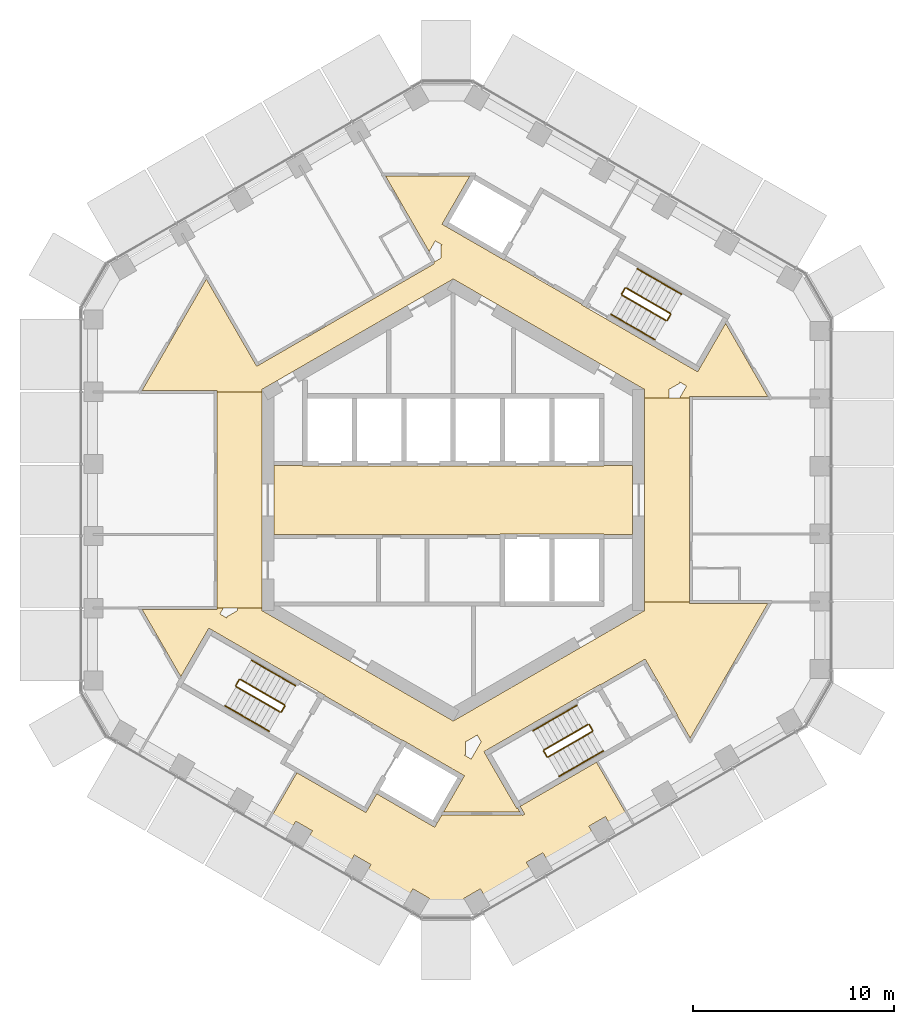
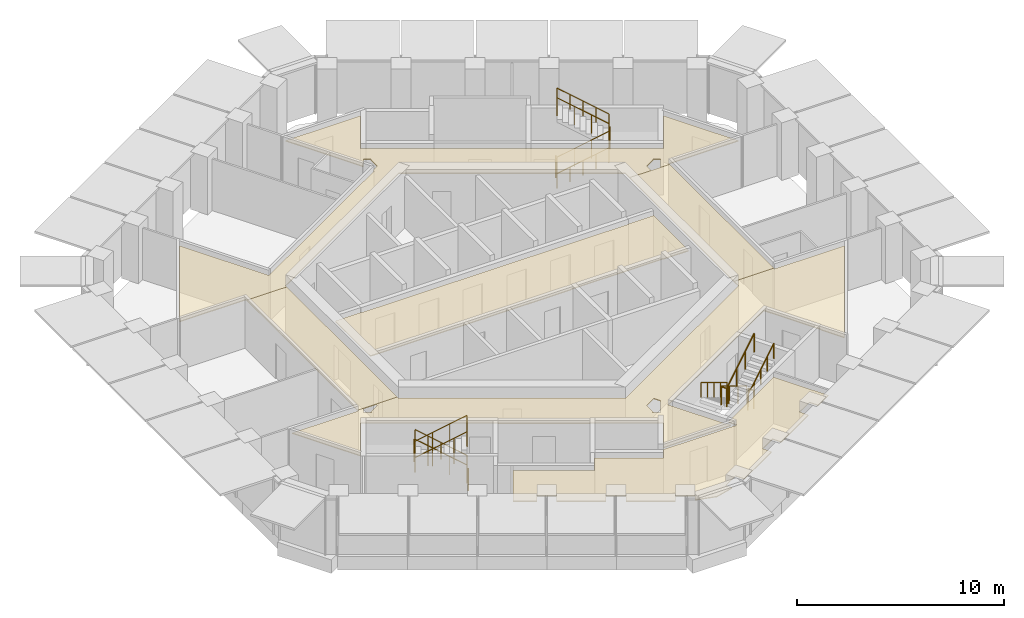
# One storey, part 18 of 18: 24 railings, 6 coverings.
"""IFC4 building model written with IfcOpenShell, lengths in metres."""

import ifcopenshell
import ifcopenshell.guid

model = None  # the IFC model being written
_history = None  # IfcOwnerHistory: only IFC2X3 demands one
_inside = {}  # id of a spatial element -> (the spatial element, [elements in it])
_under = {}  # id of a project, library or spatial element -> (it, [spatial elements below it])
_declared = {}  # id of a project -> (the project, [libraries it declares])
_typed = {}  # id of a type object -> (the type object, [elements of that type])
_made_of = {}  # id of a material, layer set ... -> (it, [elements and type objects made of it])


def new_model(schema):
    """Start an empty IFC model of exactly this schema.

    Asked for "IFC4X3", IfcOpenShell would pick the latest addendum, in which some entities
    have other attributes; the version numbers below select the first issue.
    IFC2X3 requires an IfcOwnerHistory on every rooted entity: one is made here for all.
    """
    global model, _history
    if schema == "IFC4X3":
        model = ifcopenshell.file(schema_version=(4, 3, 0, 0))
    else:
        model = ifcopenshell.file(schema=schema)
    _inside.clear()
    _under.clear()
    _declared.clear()
    _typed.clear()
    _made_of.clear()
    _history = None
    if model.schema == "IFC2X3":
        org = make("IfcOrganization", Name="unknown")
        user = make(
            "IfcPersonAndOrganization",
            ThePerson=make("IfcPerson", FamilyName="unknown"),
            TheOrganization=org,
        )
        app = make(
            "IfcApplication",
            ApplicationDeveloper=org,
            Version="unknown",
            ApplicationFullName="unknown",
            ApplicationIdentifier="unknown",
        )
        _history = make(
            "IfcOwnerHistory",
            OwningUser=user,
            OwningApplication=app,
            ChangeAction="ADDED",
            CreationDate=0,
        )
    return model


def make(cls, **values):
    """One entity of the class cls with the attributes given. An attribute that is None is left unset."""
    return model.create_entity(
        cls, **{name: value for name, value in values.items() if value is not None}
    )


def rooted(cls, **values):
    """An entity with a GlobalId (a new one), such as an element, a storey or a relation."""
    return make(cls, GlobalId=ifcopenshell.guid.new(), OwnerHistory=_history, **values)


def si_unit(unit_type, name, prefix=None):
    """IfcSIUnit, for example si_unit("LENGTHUNIT", "METRE", prefix="MILLI")."""
    return make("IfcSIUnit", UnitType=unit_type, Prefix=prefix, Name=name)


def assignment(units):
    """IfcUnitAssignment: the units of a project."""
    return None if units is None else make("IfcUnitAssignment", Units=units)


def point(xyz):
    """IfcCartesianPoint."""
    return None if xyz is None else make("IfcCartesianPoint", Coordinates=xyz)


def direction(xyz):
    """IfcDirection."""
    return None if xyz is None else make("IfcDirection", DirectionRatios=xyz)


def frame(location, z_axis=None, x_axis=None):
    """IfcAxis2Placement3D, a coordinate frame: its origin and axes. An axis left out is left unset."""
    return make(
        "IfcAxis2Placement3D",
        Location=point(location),
        Axis=direction(z_axis),
        RefDirection=direction(x_axis),
    )


def frame_2d(location, x_axis=None):
    """IfcAxis2Placement2D, a coordinate frame in the plane: its origin and x axis."""
    return make(
        "IfcAxis2Placement2D", Location=point(location), RefDirection=direction(x_axis)
    )


def origin():
    """The frame at (0, 0, 0) with its axes left unset."""
    return frame((0.0, 0.0, 0.0))


def origin_2d():
    """The frame at (0, 0) in the plane with its x axis left unset."""
    return frame_2d((0.0, 0.0))


def place(relative_to, where):
    """IfcLocalPlacement: puts the frame where relative to a parent placement (None: the world)."""
    return make(
        "IfcLocalPlacement", PlacementRelTo=relative_to, RelativePlacement=where
    )


def context(
    kind, dimensions, precision=None, world=None, true_north=None, identifier=None
):
    """IfcGeometricRepresentationContext, for example the 3D "Model" context."""
    return make(
        "IfcGeometricRepresentationContext",
        ContextIdentifier=identifier,
        ContextType=kind,
        CoordinateSpaceDimension=dimensions,
        Precision=precision,
        WorldCoordinateSystem=world,
        TrueNorth=true_north,
    )


def subcontext(parent, identifier, kind, view, scale=None):
    """IfcGeometricRepresentationSubContext, for example "Body" below "Model"."""
    return make(
        "IfcGeometricRepresentationSubContext",
        ContextIdentifier=identifier,
        ContextType=kind,
        ParentContext=parent,
        TargetScale=scale,
        TargetView=view,
    )


def project(units=None, contexts=None):
    """IfcProject with its units and contexts."""
    return rooted(
        "IfcProject",
        Name="project",
        RepresentationContexts=contexts,
        UnitsInContext=assignment(units),
    )


def spatial(cls, under=None, at=None, **own):
    """A site, building, storey or space (cls), placed at a placement, below another one or the project."""
    s = rooted(cls, ObjectPlacement=at, **own)
    if under is not None:
        _under.setdefault(under.id(), (under, []))[1].append(s)
    return s


def polyline(points):
    """IfcPolyline through the points."""
    return make("IfcPolyline", Points=[point(p) for p in points])


def profile(cls, at=None, kind="AREA", **sizes):
    """A parametric profile (cls). Its sizes go by their IFC names, for example OverallWidth=200.0."""
    return make(cls, ProfileType=kind, Position=at, **sizes)


def circle(**sizes):
    """IfcCircleProfileDef."""
    return profile("IfcCircleProfileDef", **sizes)


def outline(outer, holes=None, kind="AREA"):
    """IfcArbitraryClosedProfileDef: a profile drawn as a closed curve; with holes, ...WithVoids."""
    if holes is None:
        return make("IfcArbitraryClosedProfileDef", ProfileType=kind, OuterCurve=outer)
    return make(
        "IfcArbitraryProfileDefWithVoids",
        ProfileType=kind,
        OuterCurve=outer,
        InnerCurves=holes,
    )


def extrude(swept, where, along, depth):
    """IfcExtrudedAreaSolid: the profile swept, set in the frame where, extruded along a direction by depth."""
    return make(
        "IfcExtrudedAreaSolid",
        SweptArea=swept,
        Position=where,
        ExtrudedDirection=direction(along),
        Depth=depth,
    )


def shape(context_of_items, identifier, shape_type, items):
    """IfcShapeRepresentation: the items that make up one representation, for example the "Body"."""
    return make(
        "IfcShapeRepresentation",
        ContextOfItems=context_of_items,
        RepresentationIdentifier=identifier,
        RepresentationType=shape_type,
        Items=items,
    )


def material(Name=None, Category=None):
    """IfcMaterial."""
    return make("IfcMaterial", Name=Name, Category=Category)


def layer(
    of_material, thickness, ventilated=None, Name=None, Category=None, Priority=None
):
    """IfcMaterialLayer: one layer of a wall or slab, of a material (None: an air gap)."""
    return make(
        "IfcMaterialLayer",
        Material=of_material,
        LayerThickness=thickness,
        IsVentilated=ventilated,
        Name=Name,
        Category=Category,
        Priority=Priority,
    )


def layer_set(layers, Name=None):
    """IfcMaterialLayerSet."""
    return make("IfcMaterialLayerSet", MaterialLayers=layers, LayerSetName=Name)


def made_of(thing, what):
    """Note that an element or type object is made of a material, layer set ...; save() writes the relation."""
    if what is not None:
        _made_of.setdefault(what.id(), (what, []))[1].append(thing)
    return thing


def type_object(cls, material=None, **own):
    """A type object (cls), such as IfcWallType, which elements share."""
    return made_of(rooted(cls, **own), material)


def element(
    cls,
    number,
    at=None,
    inside=None,
    cuts=None,
    type_object=None,
    material=None,
    context=None,
    identifier="Body",
    shape_type=None,
    held_by="IfcProductDefinitionShape",
    body=None,
    shapes=None,
    **own,
):
    """One element of the class cls, such as IfcWall. Its Tag is "e" and its number.

    at: its placement. inside: the storey or other place that contains it. cuts: it is an
    opening in that element (IfcRelVoidsElement). A single representation is given by context,
    identifier, shape_type and body (its items); several are given by shapes. held_by: the class
    of the entity that holds the representations. save() writes the other relations.
    """
    e = rooted(cls, Tag="e%d" % number, ObjectPlacement=at, **own)
    if body is not None:
        shapes = [shape(context, identifier, shape_type, body)]
    if shapes is not None:
        e.Representation = make(held_by, Representations=shapes)
    if inside is not None:
        _inside.setdefault(inside.id(), (inside, []))[1].append(e)
    if cuts is not None:
        rooted(
            "IfcRelVoidsElement", RelatingBuildingElement=cuts, RelatedOpeningElement=e
        )
    if type_object is not None:
        _typed.setdefault(type_object.id(), (type_object, []))[1].append(e)
    return made_of(e, material)


def aggregate(whole, parts):
    """IfcRelAggregates: a whole, such as a stair, and the parts it consists of."""
    return rooted("IfcRelAggregates", RelatingObject=whole, RelatedObjects=parts)


def save(model, path):
    """Write the relations noted so far, then the file.

    IfcRelAggregates (storeys below a building ...), IfcRelContainedInSpatialStructure (elements
    in a storey), IfcRelDefinesByType, IfcRelAssociatesMaterial and IfcRelDeclares: one each for
    every whole, place, type object, material and project.
    """
    for whole, parts in _under.values():
        aggregate(whole, parts)
    for where, things in _inside.values():
        rooted(
            "IfcRelContainedInSpatialStructure",
            RelatedElements=things,
            RelatingStructure=where,
        )
    for kind, things in _typed.values():
        rooted("IfcRelDefinesByType", RelatedObjects=things, RelatingType=kind)
    for what, things in _made_of.values():
        rooted("IfcRelAssociatesMaterial", RelatedObjects=things, RelatingMaterial=what)
    for by, libraries in _declared.values():
        rooted("IfcRelDeclares", RelatingContext=by, RelatedDefinitions=libraries)
    model.write(path)


model = new_model("IFC4")

# Units and contexts
model_context = context("Model", 3, precision=1e-05, world=origin(), true_north=direction((0.0, 1.0)))
body_context = subcontext(model_context, "Body", "Model", "MODEL_VIEW")
ifc_project = project(units=[si_unit("LENGTHUNIT", "METRE"), si_unit("AREAUNIT", "SQUARE_METRE"), si_unit("VOLUMEUNIT", "CUBIC_METRE"), si_unit("PLANEANGLEUNIT", "RADIAN"), si_unit("MASSUNIT", "GRAM", prefix="KILO")], contexts=[model_context])

# Site, building, storey
site_placement = place(None, origin())
site = spatial("IfcSite", under=ifc_project, at=site_placement, CompositionType="ELEMENT")
building_placement = place(site_placement, origin())
building = spatial("IfcBuilding", under=site, at=building_placement, Name="Ayvan Gate Tower", CompositionType="ELEMENT")
storey_placement = place(building_placement, frame((0.0, 0.0, 169.699951171875)))
storey = spatial("IfcBuildingStorey", under=building, at=storey_placement, Name="L45", CompositionType="ELEMENT", Elevation=169.699951171875)

# Coverings
ifc_material_1 = material(Name="Plasterboard suspended ceiling")
ifc_layer = layer(ifc_material_1, 0.050048828125)
ifc_layer_set = layer_set([ifc_layer], Name="Plasterboard suspended ceiling")
covering_type = type_object("IfcCoveringType", Name="CT-SUSP-50", PredefinedType="CEILING", material=ifc_layer_set)
covering_1_placement = place(storey_placement, frame((0.0, 0.0, 2.699951171875)))
element("IfcCovering", 1, at=covering_1_placement, inside=storey, type_object=covering_type, Name="Ceiling Lift Lobby L45", PredefinedType="CEILING", context=body_context, shape_type="SweptSolid", body=[
    extrude(outline(polyline([(7.47509765625, -1.675048828125), (2.324951171875, -1.675048828125), (2.324951171875, -1.699951171875), (-8.89990234375, -1.699951171875), (-8.89990234375, 1.699951171875), (-7.47509765625, 1.699951171875), (-7.47509765625, 1.675048828125), (7.47509765625, 1.675048828125), (7.47509765625, 1.699951171875), (8.89990234375, 1.699951171875), (8.89990234375, -1.699951171875), (7.47509765625, -1.699951171875), (7.47509765625, -1.675048828125)])), origin(), (0.0, 0.0, 1.0), 0.050048828125),
])
covering_2_placement = place(storey_placement, frame((0.0, 0.0, 2.699951171875)))
element("IfcCovering", 2, at=covering_2_placement, inside=storey, type_object=covering_type, Name="Ceiling Gallery L45", PredefinedType="CEILING", context=body_context, shape_type="SweptSolid", body=[
    extrude(outline(polyline([(-11.914794921875, -6.48681640625), (-12.131103515625, -6.36181640625), (-13.518310546875, -8.764404296875), (-15.438720703125, -5.438720703125), (-11.724853515625, -5.438720703125), (-11.724853515625, -5.363525390625), (-11.410400390625, -5.363525390625), (-11.580322265625, -5.65771484375), (-11.2294921875, -5.8603515625), (-11.259765625, -5.80810546875), (-10.699951171875, -5.48486328125), (-10.699951171875, -5.363525390625), (-9.5, -5.363525390625), (-9.5, -5.48486328125), (0.0, -10.9697265625), (8.38720703125, -6.127197265625), (9.5, -5.48486328125), (9.5, -5.05517578125), (11.724853515625, -5.05517578125), (11.724853515625, -5.130126953125), (15.61669921875, -5.130126953125), (11.757568359375, -11.814453125), (11.102294921875, -10.6796875), (11.123779296875, -10.667236328125), (9.623779296875, -8.069091796875), (9.52392578125, -7.89599609375), (7.2939453125, -9.183349609375), (7.281494140625, -9.16162109375), (1.522216796875, -12.48681640625), (1.647216796875, -12.703369140625), (3.147216796875, -15.30126953125), (3.190673828125, -15.2763671875), (3.313720703125, -15.489501953125), (-0.484619140625, -15.489501953125), (0.43115234375, -13.9033203125), (0.55615234375, -13.686767578125), (-2.284423828125, -12.046630859375), (-2.518310546875, -11.91162109375), (-2.53076171875, -11.933349609375), (-6.384521484375, -9.70849609375), (-6.3720703125, -9.686767578125), (-11.91455078125, -6.48681640625), (-11.914794921875, -6.48681640625)]), holes=[polyline([(0.60009765625, -12.6552734375), (0.53955078125, -12.6552734375), (0.890380859375, -12.85791015625), (1.385498046875, -12.0), (1.193115234375, -11.66650390625), (0.60009765625, -12.0087890625), (0.60009765625, -12.6552734375)])]), origin(), (0.0, 0.0, 1.0), 0.050048828125),
])
covering_3_placement = place(storey_placement, frame((0.0, 0.0, 2.699951171875)))
element("IfcCovering", 3, at=covering_3_placement, inside=storey, type_object=covering_type, Name="Ceiling Gallery L45", PredefinedType="CEILING", context=body_context, shape_type="SweptSolid", body=[
    extrude(outline(polyline([(2.518310546875, 11.91162109375), (2.53076171875, 11.933349609375), (6.384521484375, 9.70849609375), (6.3720703125, 9.686767578125), (6.588623046875, 9.561767578125), (12.131103515625, 6.36181640625), (12.24609375, 6.56103515625), (13.518310546875, 8.764404296875), (15.61669921875, 5.130126953125), (11.72509765625, 5.130126953125), (11.72509765625, 5.05517578125), (11.232421875, 5.05517578125), (11.580322265625, 5.65771484375), (11.2294921875, 5.8603515625), (11.259765625, 5.80810546875), (10.699951171875, 5.48486328125), (10.699951171875, 5.05517578125), (9.5, 5.05517578125), (9.5, 5.48486328125), (0.0, 10.9697265625), (-9.5, 5.48486328125), (-9.5, 5.363525390625), (-11.72509765625, 5.363525390625), (-11.72509765625, 5.438720703125), (-15.438720703125, 5.438720703125), (-12.251220703125, 10.95947265625), (-9.75537109375, 6.636474609375), (-9.62548828125, 6.71142578125), (-0.9345703125, 11.72900390625), (-0.971923828125, 11.794189453125), (-0.60009765625, 12.0087890625), (-0.60009765625, 12.6552734375), (-0.53955078125, 12.6552734375), (-0.890380859375, 12.85791015625), (-1.195068359375, 12.330078125), (-3.365478515625, 16.089599609375), (0.8310546875, 16.089599609375), (-0.55615234375, 13.686767578125), (-0.339599609375, 13.561767578125), (2.518310546875, 11.91162109375)])), origin(), (0.0, 0.0, 1.0), 0.050048828125),
])
covering_4_placement = place(storey_placement, frame((0.0, 0.0, 2.699951171875)))
element("IfcCovering", 4, at=covering_4_placement, inside=storey, type_object=covering_type, Name="Ceiling Lift Lounge Lobby L45", PredefinedType="CEILING", context=body_context, shape_type="SweptSolid", body=[
    extrude(outline(polyline([(11.724853515625, -5.05517578125), (9.5, -5.05517578125), (9.5, 5.05517578125), (11.72509765625, 5.05517578125), (11.72509765625, -4.980224609375), (11.724853515625, -4.980224609375), (11.724853515625, -5.05517578125)])), origin(), (0.0, 0.0, 1.0), 0.050048828125),
])
covering_5_placement = place(storey_placement, frame((0.0, 0.0, 2.699951171875)))
element("IfcCovering", 5, at=covering_5_placement, inside=storey, type_object=covering_type, Name="Ceiling Lift Lounge Lobby L45", PredefinedType="CEILING", context=body_context, shape_type="SweptSolid", body=[
    extrude(outline(polyline([(-11.724853515625, -5.28857421875), (-11.72509765625, 5.363525390625), (-9.5, 5.363525390625), (-9.5, -5.363525390625), (-11.724853515625, -5.363525390625), (-11.724853515625, -5.28857421875)])), origin(), (0.0, 0.0, 1.0), 0.050048828125),
])
covering_6_placement = place(storey_placement, frame((0.0, 0.0, 2.699951171875)))
element("IfcCovering", 6, at=covering_6_placement, inside=storey, type_object=covering_type, Name="Ceiling Shared Kitchen L45", PredefinedType="CEILING", context=body_context, shape_type="SweptSolid", body=[
    extrude(outline(polyline([(-4.3359375, -15.510009765625), (-4.245849609375, -15.35400390625), (-3.798583984375, -14.5791015625), (-3.775390625, -14.59228515625), (-0.9189453125, -16.24169921875), (-0.803955078125, -16.042236328125), (-0.5712890625, -15.6396484375), (3.36865234375, -15.6396484375), (3.36865234375, -15.584716796875), (3.416259765625, -15.6669921875), (3.546142578125, -15.592041015625), (3.320556640625, -15.201416015625), (3.346435546875, -15.186279296875), (7.109375, -13.013916015625), (8.641845703125, -15.66796875), (7.804931640625, -16.151123046875), (7.552490234375, -15.714111328125), (6.72998046875, -16.189208984375), (6.982177734375, -16.626220703125), (4.7880859375, -17.89306640625), (4.702392578125, -17.9423828125), (4.449951171875, -17.50537109375), (3.627197265625, -17.98046875), (3.879638671875, -18.41748046875), (1.599853515625, -19.733642578125), (1.347412109375, -19.296630859375), (0.524658203125, -19.771728515625), (0.711181640625, -20.094482421875), (-0.296630859375, -20.364501953125), (-1.35595703125, -20.080810546875), (-1.177490234375, -19.771728515625), (-2.000244140625, -19.296630859375), (-2.23779296875, -19.7080078125), (-2.85791015625, -19.35009765625), (-4.32177734375, -18.5048828125), (-4.084228515625, -18.093505859375), (-4.906982421875, -17.618408203125), (-5.14453125, -18.02978515625), (-7.228515625, -16.82666015625), (-6.990966796875, -16.415283203125), (-7.813720703125, -15.940185546875), (-8.05126953125, -16.3515625), (-9.050048828125, -15.77490234375), (-7.756591796875, -13.534912109375), (-4.3359375, -15.510009765625)])), origin(), (0.0, 0.0, 1.0), 0.050048828125),
])

# Railings
ifc_material_2 = material(Name="Stainless steel balustrade", Category="steel")
railing_type_1 = type_object("IfcRailingType", Name="RL-GUARD-1100", PredefinedType="GUARDRAIL", material=ifc_material_2)
railing_1_placement = place(storey_placement, frame((8.381103515625, 10.16650390625, 0.170166015625)))
element("IfcRailing", 7, at=railing_1_placement, inside=storey, type_object=railing_type_1, Name="L45 STS1 stair guard 1", PredefinedType="GUARDRAIL", context=body_context, shape_type="SweptSolid", body=[
    extrude(circle(Radius=0.02392578125, at=origin_2d()), frame((0.0, 0.0, 1.076171875), z_axis=(0.740292969978, -0.427413806696, 0.51892557891), x_axis=(0.500004791531, 0.866022637375, 0.0)), (0.0, 0.0, 1.0), 2.947998046875),
    extrude(circle(Radius=0.02099609375, at=origin_2d()), origin(), (0.0, 0.0, 1.0), 1.052001953125),
    extrude(circle(Radius=0.02099609375, at=origin_2d()), frame((0.7275390625, -0.419921875, 0.510009765625)), (0.0, 0.0, 1.0), 1.052001953125),
    extrude(circle(Radius=0.02099609375, at=origin_2d()), frame((1.454833984375, -0.840087890625, 1.019775390625)), (0.0, 0.0, 1.0), 1.052001953125),
    extrude(circle(Radius=0.02099609375, at=origin_2d()), frame((2.182373046875, -1.260009765625, 1.52978515625)), (0.0, 0.0, 1.0), 1.052001953125),
])
railing_2_placement = place(storey_placement, frame((10.6318359375, 8.9248046875, 1.699951171875)))
element("IfcRailing", 8, at=railing_2_placement, inside=storey, type_object=railing_type_1, Name="L45 STS1 stair guard 2", PredefinedType="GUARDRAIL", context=body_context, shape_type="SweptSolid", body=[
    extrude(circle(Radius=0.02392578125, at=origin_2d()), frame((0.0, 0.0, 1.076171875), z_axis=(0.499949632511, 0.866054481515, 0.0), x_axis=(-0.866054481515, 0.499949632511, 0.0)), (0.0, 0.0, 1.0), 0.31005859375),
    extrude(circle(Radius=0.02099609375, at=origin_2d()), origin(), (0.0, 0.0, 1.0), 1.052001953125),
    extrude(circle(Radius=0.02099609375, at=origin_2d()), frame((0.155029296875, 0.2685546875, 0.0)), (0.0, 0.0, 1.0), 1.052001953125),
])
railing_3_placement = place(storey_placement, frame((10.7685546875, 9.261474609375, 1.8701171875)))
element("IfcRailing", 9, at=railing_3_placement, inside=storey, type_object=railing_type_1, Name="L45 STS1 stair guard 3", PredefinedType="GUARDRAIL", context=body_context, shape_type="SweptSolid", body=[
    extrude(circle(Radius=0.02392578125, at=origin_2d()), frame((0.0, 0.0, 1.076171875), z_axis=(-0.740261155115, 0.427395438142, 0.518986090067), x_axis=(-0.500004791531, -0.866022637375, 0.0)), (0.0, 0.0, 1.0), 2.947998046875),
    extrude(circle(Radius=0.02099609375, at=origin_2d()), origin(), (0.0, 0.0, 1.0), 1.052001953125),
    extrude(circle(Radius=0.02099609375, at=origin_2d()), frame((-0.7275390625, 0.419921875, 0.510009765625)), (0.0, 0.0, 1.0), 1.052001953125),
    extrude(circle(Radius=0.02099609375, at=origin_2d()), frame((-1.454833984375, 0.840087890625, 1.02001953125)), (0.0, 0.0, 1.0), 1.052001953125),
    extrude(circle(Radius=0.02099609375, at=origin_2d()), frame((-2.182373046875, 1.260009765625, 1.530029296875)), (0.0, 0.0, 1.0), 1.052001953125),
])
railing_4_placement = place(storey_placement, frame((8.36279296875, 10.23486328125, 0.0)))
element("IfcRailing", 10, at=railing_4_placement, inside=storey, type_object=railing_type_1, Name="L45 STS1 stair guard 4", PredefinedType="GUARDRAIL", context=body_context, shape_type="SweptSolid", body=[
    extrude(circle(Radius=0.02392578125, at=origin_2d()), frame((0.0, 0.0, 1.076171875), z_axis=(0.500290723946, 0.86585748916, 0.0), x_axis=(-0.86585748916, 0.500290723946, 0.0)), (0.0, 0.0, 1.0), 0.309814453125),
    extrude(circle(Radius=0.02099609375, at=origin_2d()), origin(), (0.0, 0.0, 1.0), 1.052001953125),
    extrude(circle(Radius=0.02099609375, at=origin_2d()), frame((0.155029296875, 0.268310546875, 0.0)), (0.0, 0.0, 1.0), 1.052001953125),
])
railing_5_placement = place(storey_placement, frame((-8.381103515625, -10.16650390625, 0.170166015625)))
element("IfcRailing", 11, at=railing_5_placement, inside=storey, type_object=railing_type_1, Name="L45 STS2 stair guard 1", PredefinedType="GUARDRAIL", context=body_context, shape_type="SweptSolid", body=[
    extrude(circle(Radius=0.02392578125, at=origin_2d()), frame((0.0, 0.0, 1.076171875), z_axis=(-0.740292969978, 0.427413806696, 0.51892557891), x_axis=(-0.500004791531, -0.866022637375, 0.0)), (0.0, 0.0, 1.0), 2.947998046875),
    extrude(circle(Radius=0.02099609375, at=origin_2d()), origin(), (0.0, 0.0, 1.0), 1.052001953125),
    extrude(circle(Radius=0.02099609375, at=origin_2d()), frame((-0.7275390625, 0.419921875, 0.510009765625)), (0.0, 0.0, 1.0), 1.052001953125),
    extrude(circle(Radius=0.02099609375, at=origin_2d()), frame((-1.454833984375, 0.840087890625, 1.019775390625)), (0.0, 0.0, 1.0), 1.052001953125),
    extrude(circle(Radius=0.02099609375, at=origin_2d()), frame((-2.182373046875, 1.260009765625, 1.52978515625)), (0.0, 0.0, 1.0), 1.052001953125),
])
railing_6_placement = place(storey_placement, frame((-10.6318359375, -8.9248046875, 1.699951171875)))
element("IfcRailing", 12, at=railing_6_placement, inside=storey, type_object=railing_type_1, Name="L45 STS2 stair guard 2", PredefinedType="GUARDRAIL", context=body_context, shape_type="SweptSolid", body=[
    extrude(circle(Radius=0.02392578125, at=origin_2d()), frame((0.0, 0.0, 1.076171875), z_axis=(-0.499949632511, -0.866054481515, 0.0), x_axis=(0.866054481515, -0.499949632511, 0.0)), (0.0, 0.0, 1.0), 0.31005859375),
    extrude(circle(Radius=0.02099609375, at=origin_2d()), origin(), (0.0, 0.0, 1.0), 1.052001953125),
    extrude(circle(Radius=0.02099609375, at=origin_2d()), frame((-0.155029296875, -0.2685546875, 0.0)), (0.0, 0.0, 1.0), 1.052001953125),
])
railing_7_placement = place(storey_placement, frame((-10.7685546875, -9.261474609375, 1.8701171875)))
element("IfcRailing", 13, at=railing_7_placement, inside=storey, type_object=railing_type_1, Name="L45 STS2 stair guard 3", PredefinedType="GUARDRAIL", context=body_context, shape_type="SweptSolid", body=[
    extrude(circle(Radius=0.02392578125, at=origin_2d()), frame((0.0, 0.0, 1.076171875), z_axis=(0.740261155115, -0.427395438142, 0.518986090067), x_axis=(0.500004791531, 0.866022637375, 0.0)), (0.0, 0.0, 1.0), 2.947998046875),
    extrude(circle(Radius=0.02099609375, at=origin_2d()), origin(), (0.0, 0.0, 1.0), 1.052001953125),
    extrude(circle(Radius=0.02099609375, at=origin_2d()), frame((0.7275390625, -0.419921875, 0.510009765625)), (0.0, 0.0, 1.0), 1.052001953125),
    extrude(circle(Radius=0.02099609375, at=origin_2d()), frame((1.454833984375, -0.840087890625, 1.02001953125)), (0.0, 0.0, 1.0), 1.052001953125),
    extrude(circle(Radius=0.02099609375, at=origin_2d()), frame((2.182373046875, -1.260009765625, 1.530029296875)), (0.0, 0.0, 1.0), 1.052001953125),
])
railing_8_placement = place(storey_placement, frame((-8.36279296875, -10.23486328125, 0.0)))
element("IfcRailing", 14, at=railing_8_placement, inside=storey, type_object=railing_type_1, Name="L45 STS2 stair guard 4", PredefinedType="GUARDRAIL", context=body_context, shape_type="SweptSolid", body=[
    extrude(circle(Radius=0.02392578125, at=origin_2d()), frame((0.0, 0.0, 1.076171875), z_axis=(-0.500290723946, -0.86585748916, 0.0), x_axis=(0.86585748916, -0.500290723946, 0.0)), (0.0, 0.0, 1.0), 0.309814453125),
    extrude(circle(Radius=0.02099609375, at=origin_2d()), origin(), (0.0, 0.0, 1.0), 1.052001953125),
    extrude(circle(Radius=0.02099609375, at=origin_2d()), frame((-0.155029296875, -0.268310546875, 0.0)), (0.0, 0.0, 1.0), 1.052001953125),
])
railing_9_placement = place(storey_placement, frame((6.6923828125, -11.1416015625, 0.170166015625)))
element("IfcRailing", 15, at=railing_9_placement, inside=storey, type_object=railing_type_1, Name="L45 STS3 stair guard 1", PredefinedType="GUARDRAIL", context=body_context, shape_type="SweptSolid", body=[
    extrude(circle(Radius=0.02392578125, at=origin_2d()), frame((0.0, 0.0, 1.076171875), z_axis=(-0.740292969978, -0.427413806696, 0.51892557891), x_axis=(0.500004791531, -0.866022637375, 0.0)), (0.0, 0.0, 1.0), 2.947998046875),
    extrude(circle(Radius=0.02099609375, at=origin_2d()), origin(), (0.0, 0.0, 1.0), 1.052001953125),
    extrude(circle(Radius=0.02099609375, at=origin_2d()), frame((-0.7275390625, -0.419921875, 0.510009765625)), (0.0, 0.0, 1.0), 1.052001953125),
    extrude(circle(Radius=0.02099609375, at=origin_2d()), frame((-1.454833984375, -0.840087890625, 1.019775390625)), (0.0, 0.0, 1.0), 1.052001953125),
    extrude(circle(Radius=0.02099609375, at=origin_2d()), frame((-2.182373046875, -1.260009765625, 1.52978515625)), (0.0, 0.0, 1.0), 1.052001953125),
])
railing_10_placement = place(storey_placement, frame((4.49169921875, -12.4697265625, 1.699951171875)))
element("IfcRailing", 16, at=railing_10_placement, inside=storey, type_object=railing_type_1, Name="L45 STS3 stair guard 2", PredefinedType="GUARDRAIL", context=body_context, shape_type="SweptSolid", body=[
    extrude(circle(Radius=0.02392578125, at=origin_2d()), frame((0.0, 0.0, 1.076171875), z_axis=(0.499949632511, -0.866054481515, 0.0), x_axis=(0.866054481515, 0.499949632511, 0.0)), (0.0, 0.0, 1.0), 0.31005859375),
    extrude(circle(Radius=0.02099609375, at=origin_2d()), origin(), (0.0, 0.0, 1.0), 1.052001953125),
    extrude(circle(Radius=0.02099609375, at=origin_2d()), frame((0.155029296875, -0.2685546875, 0.0)), (0.0, 0.0, 1.0), 1.052001953125),
])
railing_11_placement = place(storey_placement, frame((4.715087890625, -12.756591796875, 1.8701171875)))
element("IfcRailing", 17, at=railing_11_placement, inside=storey, type_object=railing_type_1, Name="L45 STS3 stair guard 3", PredefinedType="GUARDRAIL", context=body_context, shape_type="SweptSolid", body=[
    extrude(circle(Radius=0.02392578125, at=origin_2d()), frame((0.0, 0.0, 1.076171875), z_axis=(0.740261155115, 0.427395438142, 0.518986090067), x_axis=(-0.500004791531, 0.866022637375, 0.0)), (0.0, 0.0, 1.0), 2.947998046875),
    extrude(circle(Radius=0.02099609375, at=origin_2d()), origin(), (0.0, 0.0, 1.0), 1.052001953125),
    extrude(circle(Radius=0.02099609375, at=origin_2d()), frame((0.7275390625, 0.419921875, 0.510009765625)), (0.0, 0.0, 1.0), 1.052001953125),
    extrude(circle(Radius=0.02099609375, at=origin_2d()), frame((1.454833984375, 0.840087890625, 1.02001953125)), (0.0, 0.0, 1.0), 1.052001953125),
    extrude(circle(Radius=0.02099609375, at=origin_2d()), frame((2.182373046875, 1.260009765625, 1.530029296875)), (0.0, 0.0, 1.0), 1.052001953125),
])
railing_12_placement = place(storey_placement, frame((6.7607421875, -11.159912109375, 0.0)))
element("IfcRailing", 18, at=railing_12_placement, inside=storey, type_object=railing_type_1, Name="L45 STS3 stair guard 4", PredefinedType="GUARDRAIL", context=body_context, shape_type="SweptSolid", body=[
    extrude(circle(Radius=0.02392578125, at=origin_2d()), frame((0.0, 0.0, 1.076171875), z_axis=(0.500290723946, -0.86585748916, 0.0), x_axis=(0.86585748916, 0.500290723946, 0.0)), (0.0, 0.0, 1.0), 0.309814453125),
    extrude(circle(Radius=0.02099609375, at=origin_2d()), origin(), (0.0, 0.0, 1.0), 1.052001953125),
    extrude(circle(Radius=0.02099609375, at=origin_2d()), frame((0.155029296875, -0.268310546875, 0.0)), (0.0, 0.0, 1.0), 1.052001953125),
])
railing_type_2 = type_object("IfcRailingType", Name="RL-HANDRAIL-900", PredefinedType="HANDRAIL", material=ifc_material_2)
railing_13_placement = place(storey_placement, frame((7.8310546875, 9.2138671875, 0.170166015625)))
element("IfcRailing", 19, at=railing_13_placement, inside=storey, type_object=railing_type_2, Name="L45 STS1 stair handrail 1", PredefinedType="HANDRAIL", context=body_context, shape_type="SweptSolid", body=[
    extrude(circle(Radius=0.02392578125, at=origin_2d()), frame((0.0, 0.0, 0.8759765625), z_axis=(0.740356597536, -0.427319915356, 0.518912129772), x_axis=(0.499890179513, 0.866088799389, 0.0)), (0.0, 0.0, 1.0), 1.47412109375),
    extrude(circle(Radius=0.02099609375, at=origin_2d()), origin(), (0.0, 0.0, 1.0), 0.851806640625),
    extrude(circle(Radius=0.02099609375, at=origin_2d()), frame((0.545654296875, -0.31494140625, 0.38232421875)), (0.0, 0.0, 1.0), 0.851806640625),
    extrude(circle(Radius=0.02099609375, at=origin_2d()), frame((1.09130859375, -0.6298828125, 0.764892578125)), (0.0, 0.0, 1.0), 0.851806640625),
])
railing_14_placement = place(storey_placement, frame((8.92236328125, 8.583984375, 0.93505859375)))
element("IfcRailing", 20, at=railing_14_placement, inside=storey, type_object=railing_type_2, Name="L45 STS1 stair handrail 2", PredefinedType="HANDRAIL", context=body_context, shape_type="SweptSolid", body=[
    extrude(circle(Radius=0.02392578125, at=origin_2d()), frame((0.0, 0.0, 0.8759765625), z_axis=(0.740229329464, -0.427507697325, 0.518939021976), x_axis=(0.50011940292, 0.865956455501, 0.0)), (0.0, 0.0, 1.0), 1.473876953125),
    extrude(circle(Radius=0.02099609375, at=origin_2d()), origin(), (0.0, 0.0, 1.0), 0.851806640625),
    extrude(circle(Radius=0.02099609375, at=origin_2d()), frame((0.54541015625, -0.31494140625, 0.38232421875)), (0.0, 0.0, 1.0), 0.851806640625),
    extrude(circle(Radius=0.02099609375, at=origin_2d()), frame((1.091064453125, -0.630126953125, 0.764892578125)), (0.0, 0.0, 1.0), 0.851806640625),
])
railing_15_placement = place(storey_placement, frame((11.318603515625, 10.214111328125, 1.8701171875)))
element("IfcRailing", 21, at=railing_15_placement, inside=storey, type_object=railing_type_2, Name="L45 STS1 stair handrail 3", PredefinedType="HANDRAIL", context=body_context, shape_type="SweptSolid", body=[
    extrude(circle(Radius=0.02392578125, at=origin_2d()), frame((0.0, 0.0, 0.8759765625), z_axis=(-0.740304193401, 0.427455284825, 0.518875399983), x_axis=(-0.500035496587, -0.86600490885, 0.0)), (0.0, 0.0, 1.0), 1.47412109375),
    extrude(circle(Radius=0.02099609375, at=origin_2d()), origin(), (0.0, 0.0, 1.0), 0.851806640625),
    extrude(circle(Radius=0.02099609375, at=origin_2d()), frame((-0.545654296875, 0.31494140625, 0.38232421875)), (0.0, 0.0, 1.0), 0.851806640625),
    extrude(circle(Radius=0.02099609375, at=origin_2d()), frame((-1.09130859375, 0.630126953125, 0.764892578125)), (0.0, 0.0, 1.0), 0.851806640625),
])
railing_16_placement = place(storey_placement, frame((10.227294921875, 10.84423828125, 2.635009765625)))
element("IfcRailing", 22, at=railing_16_placement, inside=storey, type_object=railing_type_2, Name="L45 STS1 stair handrail 4", PredefinedType="HANDRAIL", context=body_context, shape_type="SweptSolid", body=[
    extrude(circle(Radius=0.02392578125, at=origin_2d()), frame((0.0, 0.0, 0.8759765625), z_axis=(-0.740292964666, 0.42728318766, 0.519033143459), x_axis=(-0.499890179513, -0.866088799389, 0.0)), (0.0, 0.0, 1.0), 1.47412109375),
    extrude(circle(Radius=0.02099609375, at=origin_2d()), origin(), (0.0, 0.0, 1.0), 0.851806640625),
    extrude(circle(Radius=0.02099609375, at=origin_2d()), frame((-0.545654296875, 0.31494140625, 0.382568359375)), (0.0, 0.0, 1.0), 0.851806640625),
    extrude(circle(Radius=0.02099609375, at=origin_2d()), frame((-1.09130859375, 0.6298828125, 0.76513671875)), (0.0, 0.0, 1.0), 0.851806640625),
])
railing_17_placement = place(storey_placement, frame((-7.8310546875, -9.2138671875, 0.170166015625)))
element("IfcRailing", 23, at=railing_17_placement, inside=storey, type_object=railing_type_2, Name="L45 STS2 stair handrail 1", PredefinedType="HANDRAIL", context=body_context, shape_type="SweptSolid", body=[
    extrude(circle(Radius=0.02392578125, at=origin_2d()), frame((0.0, 0.0, 0.8759765625), z_axis=(-0.740356597536, 0.427319915356, 0.518912129772), x_axis=(-0.499890179513, -0.866088799389, 0.0)), (0.0, 0.0, 1.0), 1.47412109375),
    extrude(circle(Radius=0.02099609375, at=origin_2d()), origin(), (0.0, 0.0, 1.0), 0.851806640625),
    extrude(circle(Radius=0.02099609375, at=origin_2d()), frame((-0.545654296875, 0.31494140625, 0.38232421875)), (0.0, 0.0, 1.0), 0.851806640625),
    extrude(circle(Radius=0.02099609375, at=origin_2d()), frame((-1.09130859375, 0.6298828125, 0.764892578125)), (0.0, 0.0, 1.0), 0.851806640625),
])
railing_18_placement = place(storey_placement, frame((-8.92236328125, -8.583984375, 0.93505859375)))
element("IfcRailing", 24, at=railing_18_placement, inside=storey, type_object=railing_type_2, Name="L45 STS2 stair handrail 2", PredefinedType="HANDRAIL", context=body_context, shape_type="SweptSolid", body=[
    extrude(circle(Radius=0.02392578125, at=origin_2d()), frame((0.0, 0.0, 0.8759765625), z_axis=(-0.740229329464, 0.427507697325, 0.518939021976), x_axis=(-0.50011940292, -0.865956455501, 0.0)), (0.0, 0.0, 1.0), 1.473876953125),
    extrude(circle(Radius=0.02099609375, at=origin_2d()), origin(), (0.0, 0.0, 1.0), 0.851806640625),
    extrude(circle(Radius=0.02099609375, at=origin_2d()), frame((-0.54541015625, 0.31494140625, 0.38232421875)), (0.0, 0.0, 1.0), 0.851806640625),
    extrude(circle(Radius=0.02099609375, at=origin_2d()), frame((-1.091064453125, 0.630126953125, 0.764892578125)), (0.0, 0.0, 1.0), 0.851806640625),
])
railing_19_placement = place(storey_placement, frame((-11.318603515625, -10.214111328125, 1.8701171875)))
element("IfcRailing", 25, at=railing_19_placement, inside=storey, type_object=railing_type_2, Name="L45 STS2 stair handrail 3", PredefinedType="HANDRAIL", context=body_context, shape_type="SweptSolid", body=[
    extrude(circle(Radius=0.02392578125, at=origin_2d()), frame((0.0, 0.0, 0.8759765625), z_axis=(0.740304193401, -0.427455284825, 0.518875399983), x_axis=(0.500035496587, 0.86600490885, 0.0)), (0.0, 0.0, 1.0), 1.47412109375),
    extrude(circle(Radius=0.02099609375, at=origin_2d()), origin(), (0.0, 0.0, 1.0), 0.851806640625),
    extrude(circle(Radius=0.02099609375, at=origin_2d()), frame((0.545654296875, -0.31494140625, 0.38232421875)), (0.0, 0.0, 1.0), 0.851806640625),
    extrude(circle(Radius=0.02099609375, at=origin_2d()), frame((1.09130859375, -0.630126953125, 0.764892578125)), (0.0, 0.0, 1.0), 0.851806640625),
])
railing_20_placement = place(storey_placement, frame((-10.227294921875, -10.84423828125, 2.635009765625)))
element("IfcRailing", 26, at=railing_20_placement, inside=storey, type_object=railing_type_2, Name="L45 STS2 stair handrail 4", PredefinedType="HANDRAIL", context=body_context, shape_type="SweptSolid", body=[
    extrude(circle(Radius=0.02392578125, at=origin_2d()), frame((0.0, 0.0, 0.8759765625), z_axis=(0.740292964666, -0.42728318766, 0.519033143459), x_axis=(0.499890179513, 0.866088799389, 0.0)), (0.0, 0.0, 1.0), 1.47412109375),
    extrude(circle(Radius=0.02099609375, at=origin_2d()), origin(), (0.0, 0.0, 1.0), 0.851806640625),
    extrude(circle(Radius=0.02099609375, at=origin_2d()), frame((0.545654296875, -0.31494140625, 0.382568359375)), (0.0, 0.0, 1.0), 0.851806640625),
    extrude(circle(Radius=0.02099609375, at=origin_2d()), frame((1.09130859375, -0.6298828125, 0.76513671875)), (0.0, 0.0, 1.0), 0.851806640625),
])
railing_21_placement = place(storey_placement, frame((6.142333984375, -10.18896484375, 0.170166015625)))
element("IfcRailing", 27, at=railing_21_placement, inside=storey, type_object=railing_type_2, Name="L45 STS3 stair handrail 1", PredefinedType="HANDRAIL", context=body_context, shape_type="SweptSolid", body=[
    extrude(circle(Radius=0.02392578125, at=origin_2d()), frame((0.0, 0.0, 0.8759765625), z_axis=(-0.740281741151, -0.427372318678, 0.518975765278), x_axis=(0.499974077718, -0.866040369504, 0.0)), (0.0, 0.0, 1.0), 1.473876953125),
    extrude(circle(Radius=0.02099609375, at=origin_2d()), origin(), (0.0, 0.0, 1.0), 0.851806640625),
    extrude(circle(Radius=0.02099609375, at=origin_2d()), frame((-0.54541015625, -0.31494140625, 0.38232421875)), (0.0, 0.0, 1.0), 0.851806640625),
    extrude(circle(Radius=0.02099609375, at=origin_2d()), frame((-1.091064453125, -0.6298828125, 0.764892578125)), (0.0, 0.0, 1.0), 0.851806640625),
])
railing_22_placement = place(storey_placement, frame((5.05126953125, -10.81884765625, 0.93505859375)))
element("IfcRailing", 28, at=railing_22_placement, inside=storey, type_object=railing_type_2, Name="L45 STS3 stair handrail 2", PredefinedType="HANDRAIL", context=body_context, shape_type="SweptSolid", body=[
    extrude(circle(Radius=0.02392578125, at=origin_2d()), frame((0.0, 0.0, 0.8759765625), z_axis=(-0.740304193401, -0.427455284825, 0.518875399983), x_axis=(0.500035496587, -0.86600490885, 0.0)), (0.0, 0.0, 1.0), 1.47412109375),
    extrude(circle(Radius=0.02099609375, at=origin_2d()), origin(), (0.0, 0.0, 1.0), 0.851806640625),
    extrude(circle(Radius=0.02099609375, at=origin_2d()), frame((-0.545654296875, -0.31494140625, 0.38232421875)), (0.0, 0.0, 1.0), 0.851806640625),
    extrude(circle(Radius=0.02099609375, at=origin_2d()), frame((-1.09130859375, -0.630126953125, 0.764892578125)), (0.0, 0.0, 1.0), 0.851806640625),
])
railing_23_placement = place(storey_placement, frame((5.264892578125, -13.709228515625, 1.8701171875)))
element("IfcRailing", 29, at=railing_23_placement, inside=storey, type_object=railing_type_2, Name="L45 STS3 stair handrail 3", PredefinedType="HANDRAIL", context=body_context, shape_type="SweptSolid", body=[
    extrude(circle(Radius=0.02392578125, at=origin_2d()), frame((0.0, 0.0, 0.8759765625), z_axis=(0.740304193401, 0.427455284825, 0.518875399983), x_axis=(-0.500035496587, 0.86600490885, 0.0)), (0.0, 0.0, 1.0), 1.47412109375),
    extrude(circle(Radius=0.02099609375, at=origin_2d()), origin(), (0.0, 0.0, 1.0), 0.851806640625),
    extrude(circle(Radius=0.02099609375, at=origin_2d()), frame((0.545654296875, 0.31494140625, 0.38232421875)), (0.0, 0.0, 1.0), 0.851806640625),
    extrude(circle(Radius=0.02099609375, at=origin_2d()), frame((1.09130859375, 0.630126953125, 0.764892578125)), (0.0, 0.0, 1.0), 0.851806640625),
])
railing_24_placement = place(storey_placement, frame((6.356201171875, -13.0791015625, 2.635009765625)))
element("IfcRailing", 30, at=railing_24_placement, inside=storey, type_object=railing_type_2, Name="L45 STS3 stair handrail 4", PredefinedType="HANDRAIL", context=body_context, shape_type="SweptSolid", body=[
    extrude(circle(Radius=0.02392578125, at=origin_2d()), frame((0.0, 0.0, 0.8759765625), z_axis=(0.740218099111, 0.427335577468, 0.519096782863), x_axis=(-0.499974077718, 0.866040369504, 0.0)), (0.0, 0.0, 1.0), 1.473876953125),
    extrude(circle(Radius=0.02099609375, at=origin_2d()), origin(), (0.0, 0.0, 1.0), 0.851806640625),
    extrude(circle(Radius=0.02099609375, at=origin_2d()), frame((0.54541015625, 0.31494140625, 0.382568359375)), (0.0, 0.0, 1.0), 0.851806640625),
    extrude(circle(Radius=0.02099609375, at=origin_2d()), frame((1.091064453125, 0.6298828125, 0.76513671875)), (0.0, 0.0, 1.0), 0.851806640625),
])

save(model, "model.ifc")
